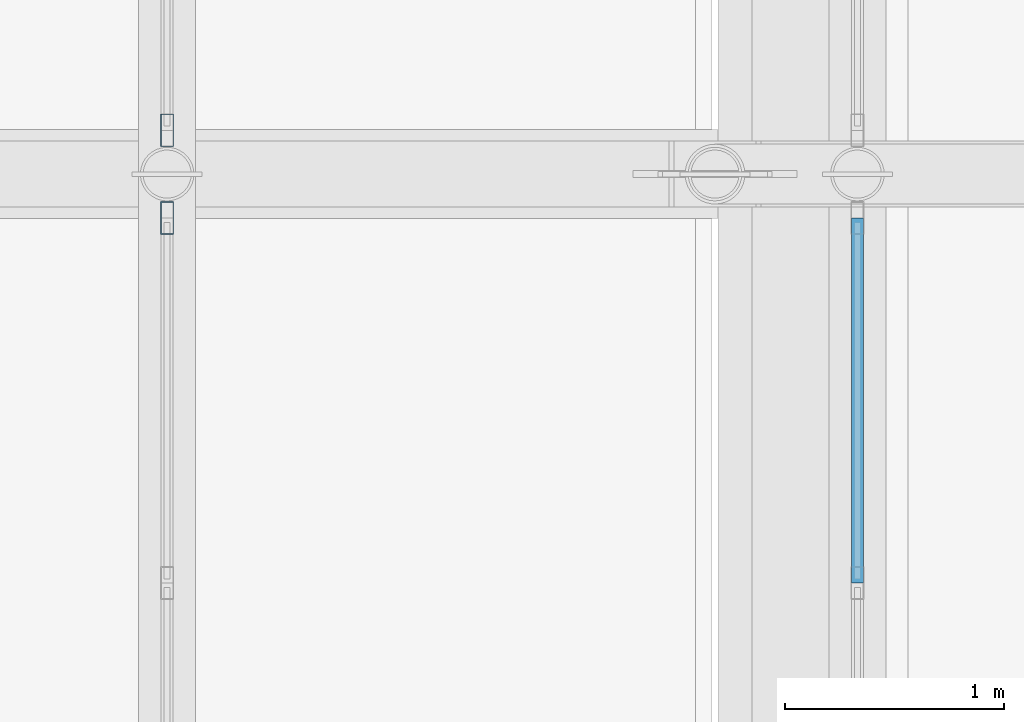
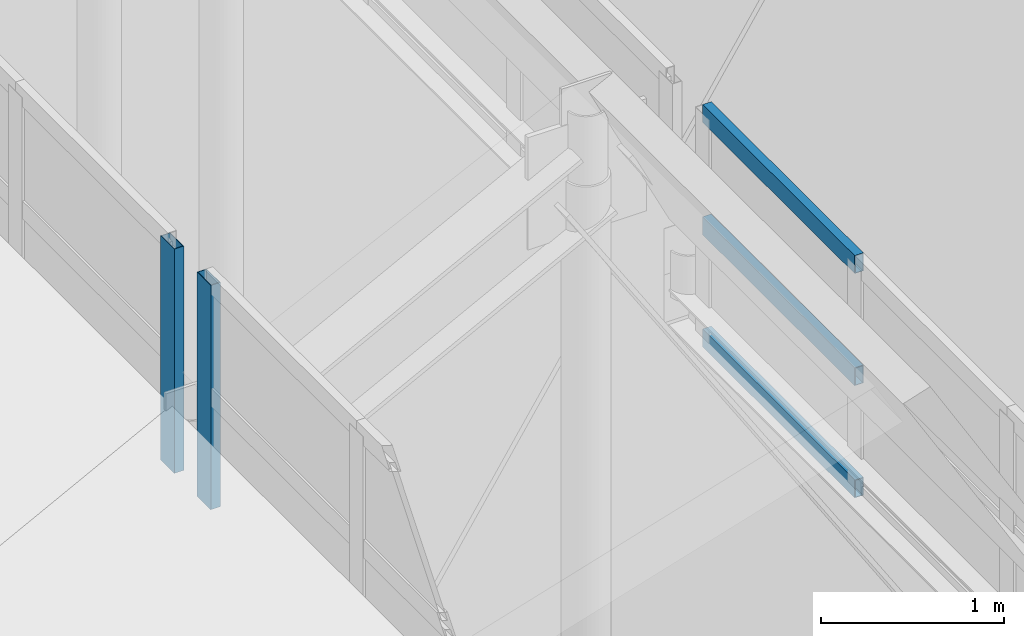
# One storey, part 22 of 84: 5 members, 3 elements without a shape of their own.
"""IFC4 building model written with IfcOpenShell, lengths in metres."""

from ifc_helpers import new_model, si_unit, direction, frame, origin, origin_2d, place, context, subcontext, project, spatial, hollow_rectangle, extrude, material, layer, layer_set, material_profile, profile_set, type_object, element, aggregate, save


model = new_model("IFC4")

# Units and contexts
model_context = context("Model", 3, precision=1e-05, world=origin(), true_north=direction((0.0, 1.0)))
body_context = subcontext(model_context, "Body", "Model", "MODEL_VIEW")
ifc_project = project(units=[si_unit("LENGTHUNIT", "METRE"), si_unit("AREAUNIT", "SQUARE_METRE"), si_unit("VOLUMEUNIT", "CUBIC_METRE"), si_unit("PLANEANGLEUNIT", "RADIAN"), si_unit("MASSUNIT", "GRAM", prefix="KILO")], contexts=[model_context])

# Site, building, storey
site_placement = place(None, origin())
site = spatial("IfcSite", under=ifc_project, at=site_placement, CompositionType="ELEMENT")
building_placement = place(site_placement, origin())
building = spatial("IfcBuilding", under=site, at=building_placement, Name="Sundgate Opera House", CompositionType="ELEMENT")
storey_placement = place(building_placement, frame((0.0, 0.0, 30.60009765625)))
storey = spatial("IfcBuildingStorey", under=building, at=storey_placement, Name="L06", CompositionType="ELEMENT", Elevation=30.60009765625)

# Curtain wall, member
ifc_material_1 = material(Name="Anodized aluminium and low-iron glass", Category="aluminium")
ifc_layer = layer(ifc_material_1, 0.169921875)
ifc_layer_set = layer_set([ifc_layer], Name="Anodized aluminium and low-iron glass")
curtain_wall_type = type_object("IfcCurtainWallType", Name="CW-LANTERN-POLY", PredefinedType="NOTDEFINED", material=ifc_layer_set)
curtain_wall_1_placement = place(storey_placement, origin())
curtain_wall_1 = element("IfcCurtainWall", 1, at=curtain_wall_1_placement, inside=storey, type_object=curtain_wall_type, Name="L06 Curtain Wall CW175", PredefinedType="NOTDEFINED")
ifc_material_2 = material(Name="Anodized aluminium EN AW-6063", Category="aluminium")
ifc_material_profile_1 = material_profile(ifc_material_2, hollow_rectangle(XDim=0.06005859375, YDim=0.14990234375, WallThickness=0.00390625, at=origin_2d()), Name="CWM 150x60x4")
ifc_profile_set_1 = profile_set([ifc_material_profile_1], Name="Anodized aluminium EN AW-6063")
member_type_1 = type_object("IfcMemberType", Name="CWM-ALU-150x60", PredefinedType="MULLION", material=ifc_profile_set_1)
member_1_placement = place(storey_placement, frame((51.5, 54.39990234375, 12.0), z_axis=(0.0, 0.0, 1.0), x_axis=(1.0, 0.0, 0.0)))
member_1 = element("IfcMember", 2, at=member_1_placement, type_object=member_type_1, Name="CW175 Mullion 1", PredefinedType="MULLION", context=body_context, shape_type="SweptSolid", body=[
    extrude(hollow_rectangle(XDim=0.06005859375, YDim=0.14990234375, WallThickness=0.00390625, at=origin_2d()), origin(), (0.0, 0.0, 1.0), 1.5),
])
aggregate(curtain_wall_1, [member_1])

curtain_wall_2_placement = place(storey_placement, origin())
curtain_wall_2 = element("IfcCurtainWall", 3, at=curtain_wall_2_placement, inside=storey, type_object=curtain_wall_type, Name="L06 Curtain Wall CW177", PredefinedType="NOTDEFINED")
member_2_placement = place(storey_placement, frame((51.5, 54.800048828125, 12.0), z_axis=(0.0, 0.0, 1.0), x_axis=(1.0, 0.0, 0.0)))
member_2 = element("IfcMember", 4, at=member_2_placement, type_object=member_type_1, Name="CW177 Mullion 4", PredefinedType="MULLION", context=body_context, shape_type="SweptSolid", body=[
    extrude(hollow_rectangle(XDim=0.06005859375, YDim=0.14990234375, WallThickness=0.00390625, at=origin_2d()), origin(), (0.0, 0.0, 1.0), 1.5),
])
aggregate(curtain_wall_2, [member_2])

# Curtain wall, members
curtain_wall_3_placement = place(storey_placement, origin())
curtain_wall_3 = element("IfcCurtainWall", 5, at=curtain_wall_3_placement, inside=storey, type_object=curtain_wall_type, Name="L06 Curtain Wall CW176", PredefinedType="NOTDEFINED")
ifc_material_3 = material(Name="Anodized aluminium EN AW-6063", Category="aluminium")
ifc_material_profile_2 = material_profile(ifc_material_3, hollow_rectangle(XDim=0.054931640625, YDim=0.1201171875, WallThickness=0.00390625, at=origin_2d()), Name="CWT 120x55x4")
ifc_profile_set_2 = profile_set([ifc_material_profile_2], Name="Anodized aluminium EN AW-6063")
member_type_2 = type_object("IfcMemberType", Name="CWT-ALU-120x55", PredefinedType="USERDEFINED", material=ifc_profile_set_2)
member_3_placement = place(storey_placement, frame((54.64990234375, 52.7333984375, 12.0), z_axis=(0.0, 1.0, 0.0), x_axis=(-1.0, 0.0, 0.0)))
member_3 = element("IfcMember", 6, at=member_3_placement, type_object=member_type_2, Name="CW176 Transom 7", ObjectType="TRANSOM", PredefinedType="USERDEFINED", context=body_context, shape_type="SweptSolid", body=[
    extrude(hollow_rectangle(XDim=0.054931640625, YDim=0.1201171875, WallThickness=0.00390625, at=origin_2d()), origin(), (0.0, 0.0, 1.0), 1.66650390625),
])
member_4_placement = place(storey_placement, frame((54.64990234375, 52.7333984375, 12.75), z_axis=(0.0, 1.0, 0.0), x_axis=(-1.0, 0.0, 0.0)))
member_4 = element("IfcMember", 7, at=member_4_placement, type_object=member_type_2, Name="CW176 Transom 8", ObjectType="TRANSOM", PredefinedType="USERDEFINED", context=body_context, shape_type="SweptSolid", body=[
    extrude(hollow_rectangle(XDim=0.054931640625, YDim=0.1201171875, WallThickness=0.00390625, at=origin_2d()), origin(), (0.0, 0.0, 1.0), 1.66650390625),
])
member_5_placement = place(storey_placement, frame((54.64990234375, 52.7333984375, 13.5), z_axis=(0.0, 1.0, 0.0), x_axis=(-1.0, 0.0, 0.0)))
member_5 = element("IfcMember", 8, at=member_5_placement, type_object=member_type_2, Name="CW176 Transom 9", ObjectType="TRANSOM", PredefinedType="USERDEFINED", context=body_context, shape_type="SweptSolid", body=[
    extrude(hollow_rectangle(XDim=0.054931640625, YDim=0.1201171875, WallThickness=0.00390625, at=origin_2d()), origin(), (0.0, 0.0, 1.0), 1.66650390625),
])
aggregate(curtain_wall_3, [member_3, member_4, member_5])

save(model, "model.ifc")
